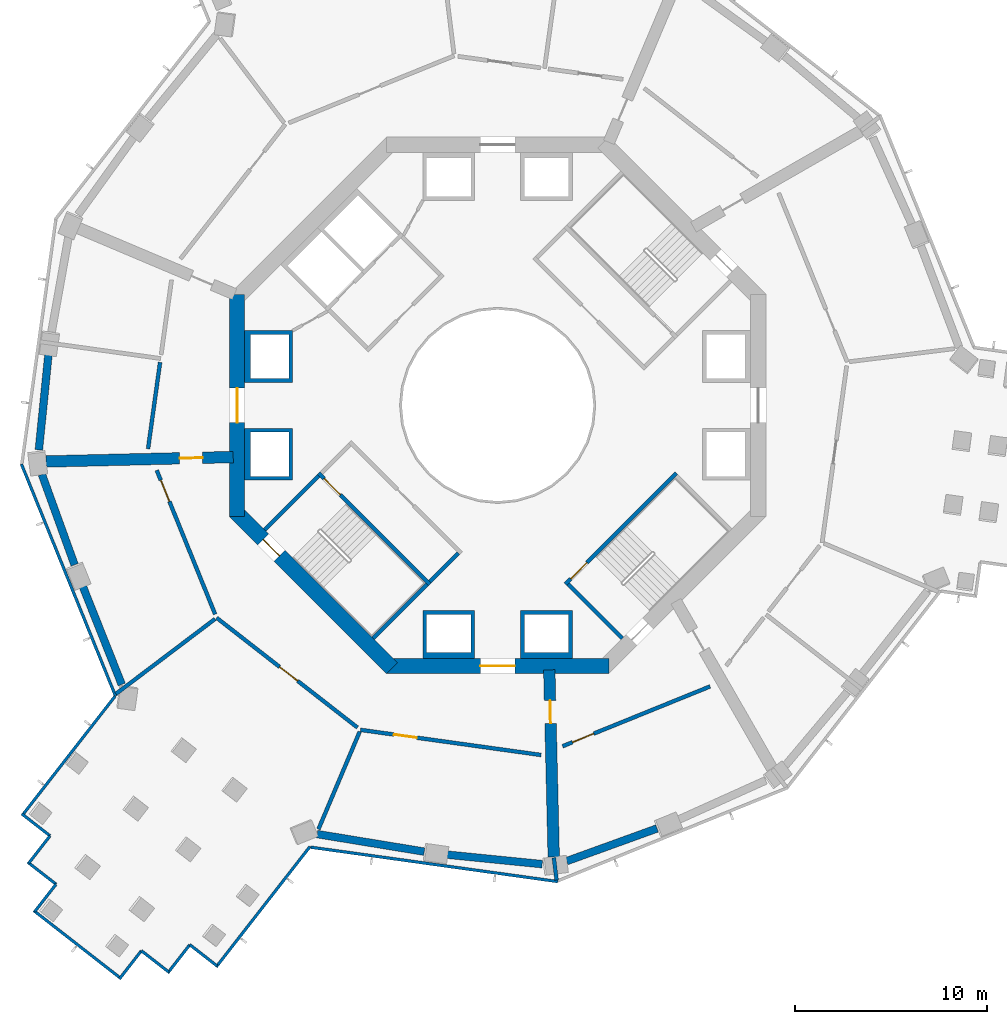
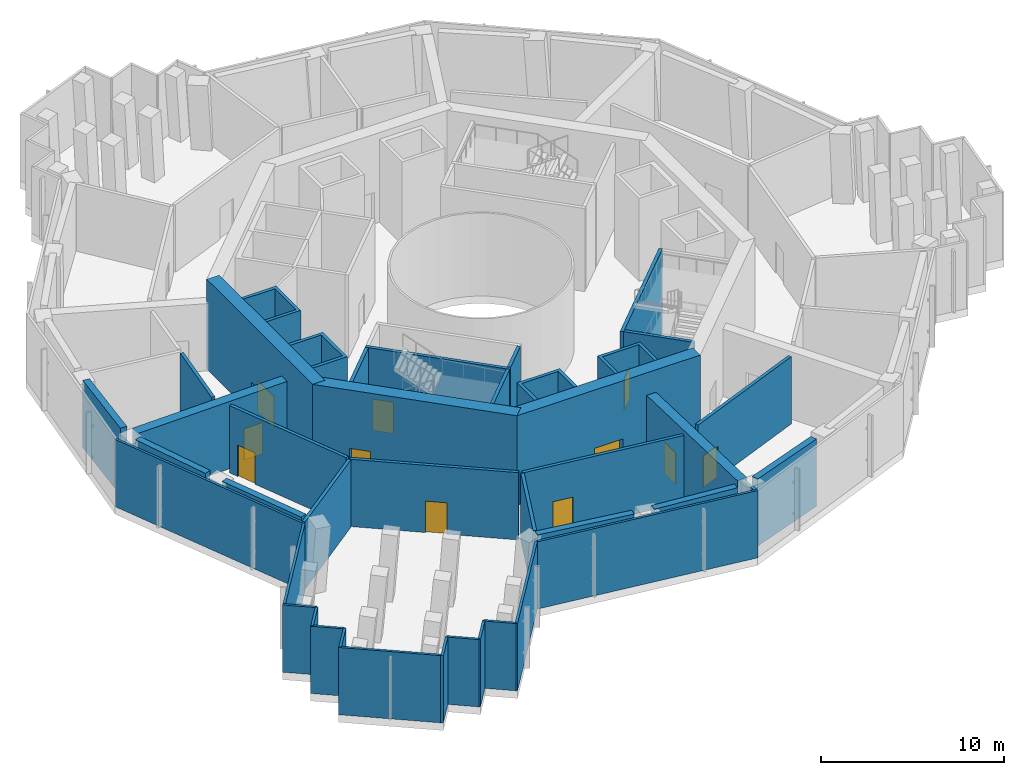
# One storey, part 2 of 17: 42 walls, 11 doors, 11 openings.
"""IFC4 building model written with IfcOpenShell, lengths in metres."""

from ifc_helpers import new_model, si_unit, direction, frame, frame_2d, origin, place, context, subcontext, project, spatial, polyline, rectangle, outline, extrude, material, layer, layer_set, type_object, element, fill, save


model = new_model("IFC4")

# Units and contexts
model_context = context("Model", 3, precision=1e-05, world=origin(), true_north=direction((0.0, 1.0)))
body_context = subcontext(model_context, "Body", "Model", "MODEL_VIEW")
ifc_project = project(units=[si_unit("LENGTHUNIT", "METRE"), si_unit("AREAUNIT", "SQUARE_METRE"), si_unit("VOLUMEUNIT", "CUBIC_METRE"), si_unit("PLANEANGLEUNIT", "RADIAN"), si_unit("MASSUNIT", "GRAM", prefix="KILO")], contexts=[model_context])

# Site, building, storey
site_placement = place(None, origin())
site = spatial("IfcSite", under=ifc_project, at=site_placement, CompositionType="ELEMENT")
building_placement = place(site_placement, origin())
building = spatial("IfcBuilding", under=site, at=building_placement, Name="Verdalira Terraces Hotel", CompositionType="ELEMENT")
storey_placement = place(building_placement, frame((0.0, 0.0, 122.0)))
storey = spatial("IfcBuildingStorey", under=building, at=storey_placement, Name="L29", CompositionType="ELEMENT", Elevation=122.0)

# Walls
ifc_material_1 = material(Name="Concrete C70", Category="concrete")
ifc_layer_1 = layer(ifc_material_1, 0.39990234375)
ifc_layer_set_1 = layer_set([ifc_layer_1], Name="Belt wall 400 C70")
wall_type_1 = type_object("IfcWallType", Name="Belt wall 400 C70", PredefinedType="SHEAR", material=ifc_layer_set_1)
wall_1_placement = place(storey_placement, frame((-23.442139, 2.664062, 0.0), z_axis=(0.0, 0.0, 1.0), x_axis=(-0.099773701, -0.995010155, 0.0)))
element("IfcWall", 1, at=wall_1_placement, inside=storey, type_object=wall_type_1, Name="Belt wall BW-29-4", PredefinedType="SHEAR", context=body_context, shape_type="SweptSolid", body=[
    extrude(rectangle(XDim=5.013672, YDim=0.399902, at=frame_2d((2.506836, 0.0))), origin(), (0.0, 0.0, 1.0), 4.5),
])
wall_2_placement = place(storey_placement, frame((-23.783691, -3.602783, 0.0), z_axis=(0.0, 0.0, 1.0), x_axis=(0.34015532, -0.940369267, 0.0)))
element("IfcWall", 2, at=wall_2_placement, inside=storey, type_object=wall_type_1, Name="Belt wall BW-29-5", PredefinedType="SHEAR", context=body_context, shape_type="SweptSolid", body=[
    extrude(rectangle(XDim=5.01416, YDim=0.399902, at=frame_2d((2.50708, 0.0))), origin(), (0.0, 0.0, 1.0), 4.5),
])
wall_3_placement = place(storey_placement, frame((-21.66333, -9.411865, 0.0), z_axis=(0.0, 0.0, 1.0), x_axis=(0.369105082, -0.929387668, 0.0)))
element("IfcWall", 3, at=wall_3_placement, inside=storey, type_object=wall_type_1, Name="Belt wall BW-29-6", PredefinedType="SHEAR", context=body_context, shape_type="SweptSolid", body=[
    extrude(rectangle(XDim=5.546143, YDim=0.399902, at=frame_2d((2.772949, 0.0))), origin(), (0.0, 0.0, 1.0), 4.5),
])
wall_4_placement = place(storey_placement, frame((-9.420898, -22.371338, 0.0), z_axis=(0.0, 0.0, 1.0), x_axis=(0.986810063, -0.161882364, 0.0)))
element("IfcWall", 4, at=wall_4_placement, inside=storey, type_object=wall_type_1, Name="Belt wall BW-29-7", PredefinedType="SHEAR", context=body_context, shape_type="SweptSolid", body=[
    extrude(rectangle(XDim=5.664551, YDim=0.399902, at=frame_2d((2.832275, 0.0))), origin(), (0.0, 0.0, 1.0), 4.5),
])
wall_5_placement = place(storey_placement, frame((-2.664062, -23.442139, 0.0), z_axis=(0.0, 0.0, 1.0), x_axis=(0.995010155, -0.099773701, 0.0)))
element("IfcWall", 5, at=wall_5_placement, inside=storey, type_object=wall_type_1, Name="Belt wall BW-29-8", PredefinedType="SHEAR", context=body_context, shape_type="SweptSolid", body=[
    extrude(rectangle(XDim=5.013672, YDim=0.399902, at=frame_2d((2.506836, 0.0))), origin(), (0.0, 0.0, 1.0), 4.5),
])
wall_6_placement = place(storey_placement, frame((3.602783, -23.783691, 0.0), z_axis=(0.0, 0.0, 1.0), x_axis=(0.940369267, 0.34015532, 0.0)))
element("IfcWall", 6, at=wall_6_placement, inside=storey, type_object=wall_type_1, Name="Belt wall BW-29-9", PredefinedType="SHEAR", context=body_context, shape_type="SweptSolid", body=[
    extrude(rectangle(XDim=5.01416, YDim=0.399902, at=frame_2d((2.50708, 0.0))), origin(), (0.0, 0.0, 1.0), 4.5),
])
ifc_material_2 = material(Name="Concrete C50", Category="concrete")
ifc_layer_2 = layer(ifc_material_2, 0.199951171875)
ifc_layer_set_2 = layer_set([ifc_layer_2], Name="Core RC wall 200 C50")
wall_type_2 = type_object("IfcWallType", Name="Core RC wall 200 C50", PredefinedType="SOLIDWALL", material=ifc_layer_set_2)
wall_7_placement = place(storey_placement, origin())
element("IfcWall", 7, at=wall_7_placement, inside=storey, type_object=wall_type_2, Name="L29 shaft wall W1", PredefinedType="SOLIDWALL", context=body_context, shape_type="SweptSolid", body=[
    extrude(outline(polyline([(-13.199951, 1.199951), (-13.199951, 3.899902), (-10.699951, 3.899902), (-10.699951, 1.199951), (-13.199951, 1.199951)]), holes=[polyline([(-10.899902, 3.699951), (-12.899902, 3.699951), (-12.899902, 1.399902), (-10.899902, 1.399902), (-10.899902, 3.699951)])]), origin(), (0.0, 0.0, 1.0), 5.550049),
])
wall_8_placement = place(storey_placement, origin())
element("IfcWall", 8, at=wall_8_placement, inside=storey, type_object=wall_type_2, Name="L29 shaft wall W2", PredefinedType="SOLIDWALL", context=body_context, shape_type="SweptSolid", body=[
    extrude(outline(polyline([(-10.699951, -3.899902), (-13.199951, -3.899902), (-13.199951, -1.199951), (-10.699951, -1.199951), (-10.699951, -3.899902)]), holes=[polyline([(-12.899902, -1.399902), (-12.899902, -3.699951), (-10.899902, -3.699951), (-10.899902, -1.399902), (-12.899902, -1.399902)])]), origin(), (0.0, 0.0, 1.0), 5.550049),
])
wall_9_placement = place(storey_placement, origin())
element("IfcWall", 9, at=wall_9_placement, inside=storey, type_object=wall_type_2, Name="L29 shaft wall S1", PredefinedType="SOLIDWALL", context=body_context, shape_type="SweptSolid", body=[
    extrude(outline(polyline([(-1.199951, -13.199951), (-3.899902, -13.199951), (-3.899902, -10.699951), (-1.199951, -10.699951), (-1.199951, -13.199951)]), holes=[polyline([(-3.699951, -10.899902), (-3.699951, -12.899902), (-1.399902, -12.899902), (-1.399902, -10.899902), (-3.699951, -10.899902)])]), origin(), (0.0, 0.0, 1.0), 5.550049),
])
wall_10_placement = place(storey_placement, origin())
element("IfcWall", 10, at=wall_10_placement, inside=storey, type_object=wall_type_2, Name="L29 shaft wall S2", PredefinedType="SOLIDWALL", context=body_context, shape_type="SweptSolid", body=[
    extrude(outline(polyline([(3.899902, -10.699951), (3.899902, -13.199951), (1.199951, -13.199951), (1.199951, -10.699951), (3.899902, -10.699951)]), holes=[polyline([(1.399902, -12.899902), (3.699951, -12.899902), (3.699951, -10.899902), (1.399902, -10.899902), (1.399902, -12.899902)])]), origin(), (0.0, 0.0, 1.0), 5.550049),
])

# Wall, opening, door
wall_11_placement = place(storey_placement, frame((-3.5354, -9.33374, 0.0), z_axis=(0.0, 0.0, 1.0), x_axis=(-0.707106781, 0.707106781, 0.0)))
wall_11 = element("IfcWall", 11, at=wall_11_placement, inside=storey, type_object=wall_type_2, Name="L29 stair ST2 front wall", PredefinedType="SOLIDWALL", context=body_context, shape_type="SweptSolid", body=[
    extrude(rectangle(XDim=8.200195, YDim=0.199951, at=frame_2d((4.100098, 0.0))), origin(), (0.0, 0.0, 1.0), 5.550049),
])
opening_1_placement = place(wall_11_placement, frame((6.600098, 0.0, 0.0)))
opening_1 = element("IfcOpeningElement", 12, at=opening_1_placement, cuts=wall_11, Name="Opening L29-804", PredefinedType="OPENING", context=body_context, shape_type="SweptSolid", body=[
    extrude(rectangle(XDim=1.199951, YDim=2.100098, at=frame_2d((0.600098, 1.050049))), frame((0.0, 0.109863, 0.0), z_axis=(0.0, -1.0, 0.0), x_axis=(1.0, 0.0, 0.0)), (0.0, 0.0, 1.0), 0.219971),
])
ifc_material_3 = material(Name="Steel fire door", Category="steel")
door_type_1 = type_object("IfcDoorType", Name="Stair door 1200 x 2100", OperationType="NOTDEFINED", PredefinedType="DOOR", material=ifc_material_3)
door_1_placement = place(opening_1_placement, origin())
door_1 = element("IfcDoor", 13, at=door_1_placement, inside=storey, type_object=door_type_1, Name="Stair door ST2 L29", OperationType="SINGLE_SWING_RIGHT", OverallHeight=2.10009765625, OverallWidth=1.199951171875, PredefinedType="DOOR", context=body_context, shape_type="SweptSolid", body=[
    extrude(rectangle(XDim=1.199951, YDim=2.100098, at=frame_2d((0.600098, 1.050049))), frame((0.0, 0.024902, 0.0), z_axis=(0.0, -1.0, 0.0), x_axis=(1.0, 0.0, 0.0)), (0.0, 0.0, 1.0), 0.050049),
])
fill(opening_1, door_1)

# Walls
for number, where, z_axis, x_axis, name in (
    (14, (-9.33374, -3.677002, 0.0), (0.0, 0.0, 1.0), (-0.707106781, -0.707106781, 0.0), "L29 stair ST2 end wall 1"),
    (15, (-3.677002, -9.33374, 0.0), (0.0, 0.0, 1.0), (-0.707106781, -0.707106781, 0.0), "L29 stair ST2 end wall 2"),
):
    element("IfcWall", number, at=place(storey_placement, frame(where, z_axis=z_axis, x_axis=x_axis)), inside=storey, type_object=wall_type_2, Name=name, PredefinedType="SOLIDWALL", context=body_context, shape_type="SweptSolid", body=[
        extrude(rectangle(XDim=4.0, YDim=0.199951, at=frame_2d((2.0, 0.0))), origin(), (0.0, 0.0, 1.0), 5.550049),
    ])

# Wall, opening, door
wall_12_placement = place(storey_placement, frame((9.33374, -3.5354, 0.0), z_axis=(0.0, 0.0, 1.0), x_axis=(-0.707106781, -0.707106781, 0.0)))
wall_12 = element("IfcWall", 16, at=wall_12_placement, inside=storey, type_object=wall_type_2, Name="L29 stair ST3 front wall", PredefinedType="SOLIDWALL", context=body_context, shape_type="SweptSolid", body=[
    extrude(rectangle(XDim=8.200195, YDim=0.199951, at=frame_2d((4.100098, 0.0))), origin(), (0.0, 0.0, 1.0), 5.550049),
])
opening_2_placement = place(wall_12_placement, frame((6.600098, 0.0, 0.0)))
opening_2 = element("IfcOpeningElement", 17, at=opening_2_placement, cuts=wall_12, Name="Opening L29-805", PredefinedType="OPENING", context=body_context, shape_type="SweptSolid", body=[
    extrude(rectangle(XDim=1.199951, YDim=2.100098, at=frame_2d((0.600098, 1.050049))), frame((0.0, 0.109863, 0.0), z_axis=(0.0, -1.0, 0.0), x_axis=(1.0, 0.0, 0.0)), (0.0, 0.0, 1.0), 0.219971),
])
door_2_placement = place(opening_2_placement, origin())
door_2 = element("IfcDoor", 18, at=door_2_placement, inside=storey, type_object=door_type_1, Name="Stair door ST3 L29", OperationType="SINGLE_SWING_RIGHT", OverallHeight=2.10009765625, OverallWidth=1.199951171875, PredefinedType="DOOR", context=body_context, shape_type="SweptSolid", body=[
    extrude(rectangle(XDim=1.199951, YDim=2.100098, at=frame_2d((0.600098, 1.050049))), frame((0.0, 0.024902, 0.0), z_axis=(0.0, -1.0, 0.0), x_axis=(1.0, 0.0, 0.0)), (0.0, 0.0, 1.0), 0.050049),
])
fill(opening_2, door_2)

# Walls
wall_13_placement = place(storey_placement, frame((3.677002, -9.33374, 0.0), z_axis=(0.0, 0.0, 1.0), x_axis=(0.707106781, -0.707106781, 0.0)))
element("IfcWall", 19, at=wall_13_placement, inside=storey, type_object=wall_type_2, Name="L29 stair ST3 end wall 1", PredefinedType="SOLIDWALL", context=body_context, shape_type="SweptSolid", body=[
    extrude(rectangle(XDim=4.0, YDim=0.199951, at=frame_2d((2.0, 0.0))), origin(), (0.0, 0.0, 1.0), 5.550049),
])
wall_14_placement = place(storey_placement, frame((-2.050537, -7.70752, 0.0), z_axis=(0.0, 0.0, 1.0), x_axis=(-0.707106781, -0.707106781, 0.0)))
element("IfcWall", 20, at=wall_14_placement, inside=storey, type_object=wall_type_2, Name="Stair lobby wall ST2 L29", PredefinedType="SOLIDWALL", context=body_context, shape_type="SweptSolid", body=[
    extrude(rectangle(XDim=2.099854, YDim=0.199951, at=frame_2d((1.049805, 0.0))), origin(), (0.0, 0.0, 1.0), 5.550049),
])

# Wall, opening, door
ifc_material_4 = material(Name="Concrete C70", Category="concrete")
ifc_layer_3 = layer(ifc_material_4, 0.800048828125)
ifc_layer_set_3 = layer_set([ifc_layer_3], Name="Core wall 800 C70")
wall_type_3 = type_object("IfcWallType", Name="Core wall 800 C70", PredefinedType="SHEAR", material=ifc_layer_set_3)
wall_15_placement = place(storey_placement, frame((-13.600098, 5.799072, 0.0), z_axis=(0.0, 0.0, 1.0), x_axis=(0.0, -1.0, 0.0)))
wall_15 = element("IfcWall", 21, at=wall_15_placement, inside=storey, type_object=wall_type_3, Name="Core wall CW-L29-5", PredefinedType="SHEAR", context=body_context, shape_type="SweptSolid", body=[
    extrude(rectangle(XDim=11.598145, YDim=0.800049, at=frame_2d((5.799072, 0.0))), origin(), (0.0, 0.0, 1.0), 6.0),
])
opening_3_placement = place(wall_15_placement, frame((4.898926, 0.0, 0.0)))
opening_3 = element("IfcOpeningElement", 22, at=opening_3_placement, cuts=wall_15, Name="Opening L29-808", PredefinedType="OPENING", context=body_context, shape_type="SweptSolid", body=[
    extrude(rectangle(XDim=1.800049, YDim=2.100098, at=frame_2d((0.899902, 1.050049))), frame((0.0, 0.409912, 0.0), z_axis=(0.0, -1.0, 0.0), x_axis=(1.0, 0.0, 0.0)), (0.0, 0.0, 1.0), 0.820068),
])
ifc_material_5 = material(Name="Steel fire door", Category="steel")
door_type_2 = type_object("IfcDoorType", Name="Core entry door pair 1800 x 2100", OperationType="NOTDEFINED", PredefinedType="DOOR", material=ifc_material_5)
door_3_placement = place(opening_3_placement, origin())
door_3 = element("IfcDoor", 23, at=door_3_placement, inside=storey, type_object=door_type_2, Name="Core entry door L29 4", OperationType="DOUBLE_DOOR_SINGLE_SWING", OverallHeight=2.10009765625, OverallWidth=1.800048828125, PredefinedType="DOOR", context=body_context, shape_type="SweptSolid", body=[
    extrude(rectangle(XDim=1.800049, YDim=2.100098, at=frame_2d((0.899902, 1.050049))), frame((0.0, 0.024902, 0.0), z_axis=(0.0, -1.0, 0.0), x_axis=(1.0, 0.0, 0.0)), (0.0, 0.0, 1.0), 0.050049),
])
fill(opening_3, door_3)

wall_16_placement = place(storey_placement, frame((-13.717285, -5.516113, 0.0), z_axis=(0.0, 0.0, 1.0), x_axis=(0.707106781, -0.707106781, 0.0)))
wall_16 = element("IfcWall", 24, at=wall_16_placement, inside=storey, type_object=wall_type_3, Name="Core wall CW-L29-6", PredefinedType="SHEAR", context=body_context, shape_type="SweptSolid", body=[
    extrude(rectangle(XDim=11.598145, YDim=0.800049, at=frame_2d((5.799072, 0.0))), origin(), (0.0, 0.0, 1.0), 6.0),
])
opening_4_placement = place(wall_16_placement, frame((2.099121, 0.0, 0.0)))
opening_4 = element("IfcOpeningElement", 25, at=opening_4_placement, cuts=wall_16, Name="Opening L29-811", PredefinedType="OPENING", context=body_context, shape_type="SweptSolid", body=[
    extrude(rectangle(XDim=1.199951, YDim=2.100098, at=frame_2d((0.600098, 1.050049))), frame((0.0, 0.409912, 0.0), z_axis=(0.0, -1.0, 0.0), x_axis=(1.0, 0.0, 0.0)), (0.0, 0.0, 1.0), 0.820068),
])
door_4_placement = place(opening_4_placement, origin())
door_4 = element("IfcDoor", 26, at=door_4_placement, inside=storey, type_object=door_type_1, Name="Stair exit door ST2 L29", OperationType="SINGLE_SWING_LEFT", OverallHeight=2.10009765625, OverallWidth=1.199951171875, PredefinedType="DOOR", context=body_context, shape_type="SweptSolid", body=[
    extrude(rectangle(XDim=1.199951, YDim=2.100098, at=frame_2d((0.600098, 1.050049))), frame((0.0, 0.024902, 0.0), z_axis=(0.0, -1.0, 0.0), x_axis=(1.0, 0.0, 0.0)), (0.0, 0.0, 1.0), 0.050049),
])
fill(opening_4, door_4)

wall_17_placement = place(storey_placement, frame((-5.799072, -13.600098, 0.0), z_axis=(0.0, 0.0, 1.0), x_axis=(1.0, 0.0, 0.0)))
wall_17 = element("IfcWall", 27, at=wall_17_placement, inside=storey, type_object=wall_type_3, Name="Core wall CW-L29-7", PredefinedType="SHEAR", context=body_context, shape_type="SweptSolid", body=[
    extrude(rectangle(XDim=11.598145, YDim=0.800049, at=frame_2d((5.799072, 0.0))), origin(), (0.0, 0.0, 1.0), 6.0),
])
opening_5_placement = place(wall_17_placement, frame((4.898926, 0.0, 0.0)))
opening_5 = element("IfcOpeningElement", 28, at=opening_5_placement, cuts=wall_17, Name="Opening L29-809", PredefinedType="OPENING", context=body_context, shape_type="SweptSolid", body=[
    extrude(rectangle(XDim=1.800049, YDim=2.100098, at=frame_2d((0.899902, 1.050049))), frame((0.0, 0.409912, 0.0), z_axis=(0.0, -1.0, 0.0), x_axis=(1.0, 0.0, 0.0)), (0.0, 0.0, 1.0), 0.820068),
])
door_5_placement = place(opening_5_placement, origin())
door_5 = element("IfcDoor", 29, at=door_5_placement, inside=storey, type_object=door_type_2, Name="Core entry door L29 6", OperationType="DOUBLE_DOOR_SINGLE_SWING", OverallHeight=2.10009765625, OverallWidth=1.800048828125, PredefinedType="DOOR", context=body_context, shape_type="SweptSolid", body=[
    extrude(rectangle(XDim=1.800049, YDim=2.100098, at=frame_2d((0.899902, 1.050049))), frame((0.0, 0.024902, 0.0), z_axis=(0.0, -1.0, 0.0), x_axis=(1.0, 0.0, 0.0)), (0.0, 0.0, 1.0), 0.050049),
])
fill(opening_5, door_5)

ifc_material_6 = material(Name="Concrete C70", Category="concrete")
ifc_layer_4 = layer(ifc_material_6, 0.60009765625)
ifc_layer_set_4 = layer_set([ifc_layer_4], Name="Outrigger wall 600 C70")
wall_type_4 = type_object("IfcWallType", Name="Outrigger wall 600 C70", PredefinedType="SHEAR", material=ifc_layer_set_4)
wall_18_placement = place(storey_placement, frame((-13.800049, -2.695312, 0.0), z_axis=(0.0, 0.0, 1.0), x_axis=(-0.999719627, -0.023678425, 0.0)))
wall_18 = element("IfcWall", 30, at=wall_18_placement, inside=storey, type_object=wall_type_4, Name="Outrigger wall OW-29-2", PredefinedType="SHEAR", context=body_context, shape_type="SweptSolid", body=[
    extrude(rectangle(XDim=9.76416, YDim=0.600098, at=frame_2d((4.88208, 0.0))), origin(), (0.0, 0.0, 1.0), 4.5),
])
opening_6_placement = place(wall_18_placement, frame((1.600098, 0.0, 0.0)))
opening_6 = element("IfcOpeningElement", 31, at=opening_6_placement, cuts=wall_18, Name="Opening L29-102", PredefinedType="OPENING", context=body_context, shape_type="SweptSolid", body=[
    extrude(rectangle(XDim=1.199951, YDim=2.100098, at=frame_2d((0.600098, 1.050049))), frame((0.0, 0.310059, 0.0), z_axis=(0.0, -1.0, 0.0), x_axis=(1.0, 0.0, 0.0)), (0.0, 0.0, 1.0), 0.620117),
])
ifc_material_7 = material(Name="Steel fire door", Category="steel")
door_type_3 = type_object("IfcDoorType", Name="Plant room door 1200 x 2100", OperationType="NOTDEFINED", PredefinedType="DOOR", material=ifc_material_7)
door_6_placement = place(opening_6_placement, origin())
door_6 = element("IfcDoor", 32, at=door_6_placement, inside=storey, type_object=door_type_3, Name="Plant room door", OperationType="SINGLE_SWING_LEFT", OverallHeight=2.10009765625, OverallWidth=1.199951171875, PredefinedType="DOOR", context=body_context, shape_type="SweptSolid", body=[
    extrude(rectangle(XDim=1.199951, YDim=2.100098, at=frame_2d((0.600098, 1.050049))), frame((0.0, 0.024902, 0.0), z_axis=(0.0, -1.0, 0.0), x_axis=(1.0, 0.0, 0.0)), (0.0, 0.0, 1.0), 0.050049),
])
fill(opening_6, door_6)

wall_19_placement = place(storey_placement, frame((2.695312, -13.800049, 0.0), z_axis=(0.0, 0.0, 1.0), x_axis=(0.023678425, -0.999719627, 0.0)))
wall_19 = element("IfcWall", 33, at=wall_19_placement, inside=storey, type_object=wall_type_4, Name="Outrigger wall OW-29-3", PredefinedType="SHEAR", context=body_context, shape_type="SweptSolid", body=[
    extrude(rectangle(XDim=9.76416, YDim=0.600098, at=frame_2d((4.88208, 0.0))), origin(), (0.0, 0.0, 1.0), 4.5),
])
opening_7_placement = place(wall_19_placement, frame((1.600098, 0.0, 0.0)))
opening_7 = element("IfcOpeningElement", 34, at=opening_7_placement, cuts=wall_19, Name="Opening L29-103", PredefinedType="OPENING", context=body_context, shape_type="SweptSolid", body=[
    extrude(rectangle(XDim=1.199951, YDim=2.100098, at=frame_2d((0.600098, 1.050049))), frame((0.0, 0.310059, 0.0), z_axis=(0.0, -1.0, 0.0), x_axis=(1.0, 0.0, 0.0)), (0.0, 0.0, 1.0), 0.620117),
])
door_7_placement = place(opening_7_placement, origin())
door_7 = element("IfcDoor", 35, at=door_7_placement, inside=storey, type_object=door_type_3, Name="Plant room door", OperationType="SINGLE_SWING_LEFT", OverallHeight=2.10009765625, OverallWidth=1.199951171875, PredefinedType="DOOR", context=body_context, shape_type="SweptSolid", body=[
    extrude(rectangle(XDim=1.199951, YDim=2.100098, at=frame_2d((0.600098, 1.050049))), frame((0.0, 0.024902, 0.0), z_axis=(0.0, -1.0, 0.0), x_axis=(1.0, 0.0, 0.0)), (0.0, 0.0, 1.0), 0.050049),
])
fill(opening_7, door_7)

# Walls
ifc_material_8 = material(Name="Fire-rated concrete block wall", Category="concrete")
ifc_layer_5 = layer(ifc_material_8, 0.199951171875)
ifc_layer_set_5 = layer_set([ifc_layer_5], Name="Plant room wall 200 mm")
wall_type_5 = type_object("IfcWallType", Name="Plant room wall 200 mm", PredefinedType="SOLIDWALL", material=ifc_layer_set_5)
wall_20_placement = place(storey_placement, frame((-17.616455, 2.248779, 0.0), z_axis=(0.0, 0.0, 1.0), x_axis=(-0.137775664, -0.99046346, 0.0)))
element("IfcWall", 36, at=wall_20_placement, inside=storey, type_object=wall_type_5, Name="Plant room wall", PredefinedType="SOLIDWALL", context=body_context, shape_type="SweptSolid", body=[
    extrude(rectangle(XDim=4.557617, YDim=0.199951, at=frame_2d((2.278809, 0.0))), origin(), (0.0, 0.0, 1.0), 4.5),
])
wall_21_placement = place(storey_placement, frame((-14.75, -11.147217, 0.0), z_axis=(0.0, 0.0, 1.0), x_axis=(-0.797800426, -0.60292162, 0.0)))
element("IfcWall", 37, at=wall_21_placement, inside=storey, type_object=wall_type_5, Name="Plant room wall", PredefinedType="SOLIDWALL", context=body_context, shape_type="SweptSolid", body=[
    extrude(rectangle(XDim=6.475586, YDim=0.199951, at=frame_2d((3.237793, 0.0))), origin(), (0.0, 0.0, 1.0), 4.5),
])

# Wall, opening, door
wall_22_placement = place(storey_placement, frame((-14.742432, -10.899414, 0.0), z_axis=(0.0, 0.0, 1.0), x_axis=(-0.375883377, 0.926666977, 0.0)))
wall_22 = element("IfcWall", 38, at=wall_22_placement, inside=storey, type_object=wall_type_5, Name="Plant room wall", PredefinedType="SOLIDWALL", context=body_context, shape_type="SweptSolid", body=[
    extrude(rectangle(XDim=8.105957, YDim=0.199951, at=frame_2d((4.052979, 0.0))), origin(), (0.0, 0.0, 1.0), 4.5),
])
opening_8_placement = place(wall_22_placement, frame((6.350098, 0.0, 0.0)))
opening_8 = element("IfcOpeningElement", 39, at=opening_8_placement, cuts=wall_22, Name="Opening L29-109", PredefinedType="OPENING", context=body_context, shape_type="SweptSolid", body=[
    extrude(rectangle(XDim=1.199951, YDim=2.100098, at=frame_2d((0.600098, 1.050049))), frame((0.0, 0.109863, 0.0), z_axis=(0.0, -1.0, 0.0), x_axis=(1.0, 0.0, 0.0)), (0.0, 0.0, 1.0), 0.219971),
])
door_8_placement = place(opening_8_placement, origin())
door_8 = element("IfcDoor", 40, at=door_8_placement, inside=storey, type_object=door_type_3, Name="Plant room door 2903", OperationType="SINGLE_SWING_LEFT", OverallHeight=2.10009765625, OverallWidth=1.199951171875, PredefinedType="DOOR", context=body_context, shape_type="SweptSolid", body=[
    extrude(rectangle(XDim=1.199951, YDim=2.100098, at=frame_2d((0.600098, 1.050049))), frame((0.0, 0.024902, 0.0), z_axis=(0.0, -1.0, 0.0), x_axis=(1.0, 0.0, 0.0)), (0.0, 0.0, 1.0), 0.050049),
])
fill(opening_8, door_8)

wall_23_placement = place(storey_placement, frame((-7.317627, -16.810303, 0.0), z_axis=(0.0, 0.0, 1.0), x_axis=(-0.788872225, 0.614557249, 0.0)))
wall_23 = element("IfcWall", 41, at=wall_23_placement, inside=storey, type_object=wall_type_5, Name="Plant room wall", PredefinedType="SOLIDWALL", context=body_context, shape_type="SweptSolid", body=[
    extrude(rectangle(XDim=9.31665, YDim=0.199951, at=frame_2d((4.658203, 0.0))), origin(), (0.0, 0.0, 1.0), 4.5),
])
opening_9_placement = place(wall_23_placement, frame((3.949951, 0.0, 0.0)))
opening_9 = element("IfcOpeningElement", 42, at=opening_9_placement, cuts=wall_23, Name="Opening L29-110", PredefinedType="OPENING", context=body_context, shape_type="SweptSolid", body=[
    extrude(rectangle(XDim=1.199951, YDim=2.100098, at=frame_2d((0.600098, 1.050049))), frame((0.0, 0.109863, 0.0), z_axis=(0.0, -1.0, 0.0), x_axis=(1.0, 0.0, 0.0)), (0.0, 0.0, 1.0), 0.219971),
])
door_9_placement = place(opening_9_placement, origin())
door_9 = element("IfcDoor", 43, at=door_9_placement, inside=storey, type_object=door_type_3, Name="Plant room door 2904", OperationType="SINGLE_SWING_LEFT", OverallHeight=2.10009765625, OverallWidth=1.199951171875, PredefinedType="DOOR", context=body_context, shape_type="SweptSolid", body=[
    extrude(rectangle(XDim=1.199951, YDim=2.100098, at=frame_2d((0.600098, 1.050049))), frame((0.0, 0.024902, 0.0), z_axis=(0.0, -1.0, 0.0), x_axis=(1.0, 0.0, 0.0)), (0.0, 0.0, 1.0), 0.050049),
])
fill(opening_9, door_9)

# Wall
wall_24_placement = place(storey_placement, frame((-7.200195, -17.028809, 0.0), z_axis=(0.0, 0.0, 1.0), x_axis=(-0.389472788, -0.921037973, 0.0)))
element("IfcWall", 44, at=wall_24_placement, inside=storey, type_object=wall_type_5, Name="Plant room wall", PredefinedType="SOLIDWALL", context=body_context, shape_type="SweptSolid", body=[
    extrude(rectangle(XDim=5.525635, YDim=0.199951, at=frame_2d((2.762695, 0.0))), origin(), (0.0, 0.0, 1.0), 4.5),
])

# Wall, opening, door
wall_25_placement = place(storey_placement, frame((2.266113, -18.244629, 0.0), z_axis=(0.0, 0.0, 1.0), x_axis=(-0.990462051, 0.137785793, 0.0)))
wall_25 = element("IfcWall", 45, at=wall_25_placement, inside=storey, type_object=wall_type_5, Name="Plant room wall", PredefinedType="SOLIDWALL", context=body_context, shape_type="SweptSolid", body=[
    extrude(rectangle(XDim=9.516846, YDim=0.199951, at=frame_2d((4.758301, 0.0))), origin(), (0.0, 0.0, 1.0), 4.5),
])
opening_10_placement = place(wall_25_placement, frame((6.550049, 0.0, 0.0)))
opening_10 = element("IfcOpeningElement", 46, at=opening_10_placement, cuts=wall_25, Name="Opening L29-111", PredefinedType="OPENING", context=body_context, shape_type="SweptSolid", body=[
    extrude(rectangle(XDim=1.199951, YDim=2.100098, at=frame_2d((0.600098, 1.050049))), frame((0.0, 0.109863, 0.0), z_axis=(0.0, -1.0, 0.0), x_axis=(1.0, 0.0, 0.0)), (0.0, 0.0, 1.0), 0.219971),
])
door_10_placement = place(opening_10_placement, origin())
door_10 = element("IfcDoor", 47, at=door_10_placement, inside=storey, type_object=door_type_3, Name="Plant room door 2905", OperationType="SINGLE_SWING_LEFT", OverallHeight=2.10009765625, OverallWidth=1.199951171875, PredefinedType="DOOR", context=body_context, shape_type="SweptSolid", body=[
    extrude(rectangle(XDim=1.199951, YDim=2.100098, at=frame_2d((0.600098, 1.050049))), frame((0.0, 0.024902, 0.0), z_axis=(0.0, -1.0, 0.0), x_axis=(1.0, 0.0, 0.0)), (0.0, 0.0, 1.0), 0.050049),
])
fill(opening_10, door_10)

# Wall
wall_26_placement = place(storey_placement, frame((2.931885, -23.606934, 0.0), z_axis=(0.0, 0.0, 1.0), x_axis=(0.123344665, -0.992363892, 0.0)))
element("IfcWall", 48, at=wall_26_placement, inside=storey, type_object=wall_type_5, Name="Plant room wall", PredefinedType="SOLIDWALL", context=body_context, shape_type="SweptSolid", body=[
    extrude(rectangle(XDim=1.175781, YDim=0.199951, at=frame_2d((0.587891, 0.0))), origin(), (0.0, 0.0, 1.0), 4.5),
])

# Wall, opening, door
wall_27_placement = place(storey_placement, frame((11.084717, -14.667236, 0.0), z_axis=(0.0, 0.0, 1.0), x_axis=(-0.926665674, -0.37588659, 0.0)))
wall_27 = element("IfcWall", 49, at=wall_27_placement, inside=storey, type_object=wall_type_5, Name="Plant room wall", PredefinedType="SOLIDWALL", context=body_context, shape_type="SweptSolid", body=[
    extrude(rectangle(XDim=8.305908, YDim=0.199951, at=frame_2d((4.152832, 0.0))), origin(), (0.0, 0.0, 1.0), 4.5),
])
opening_11_placement = place(wall_27_placement, frame((6.550049, 0.0, 0.0)))
opening_11 = element("IfcOpeningElement", 50, at=opening_11_placement, cuts=wall_27, Name="Opening L29-112", PredefinedType="OPENING", context=body_context, shape_type="SweptSolid", body=[
    extrude(rectangle(XDim=1.199951, YDim=2.100098, at=frame_2d((0.600098, 1.050049))), frame((0.0, 0.109863, 0.0), z_axis=(0.0, -1.0, 0.0), x_axis=(1.0, 0.0, 0.0)), (0.0, 0.0, 1.0), 0.219971),
])
door_11_placement = place(opening_11_placement, origin())
door_11 = element("IfcDoor", 51, at=door_11_placement, inside=storey, type_object=door_type_3, Name="Plant room door 2906", OperationType="SINGLE_SWING_LEFT", OverallHeight=2.10009765625, OverallWidth=1.199951171875, PredefinedType="DOOR", context=body_context, shape_type="SweptSolid", body=[
    extrude(rectangle(XDim=1.199951, YDim=2.100098, at=frame_2d((0.600098, 1.050049))), frame((0.0, 0.024902, 0.0), z_axis=(0.0, -1.0, 0.0), x_axis=(1.0, 0.0, 0.0)), (0.0, 0.0, 1.0), 0.050049),
])
fill(opening_11, door_11)

# Walls
ifc_material_9 = material(Name="Terracotta cladding", Category="masonry")
ifc_layer_6 = layer(ifc_material_9, 0.14990234375)
ifc_layer_set_6 = layer_set([ifc_layer_6], Name="Terracotta clad wall 150")
wall_type_6 = type_object("IfcWallType", Name="Terracotta clad wall 150", PredefinedType="SOLIDWALL", material=ifc_layer_set_6)
wall_28_placement = place(storey_placement, frame((-24.853027, -3.067139, 0.0), z_axis=(0.0, 0.0, 1.0), x_axis=(0.375890172, -0.926664221, 0.0)))
element("IfcWall", 52, at=wall_28_placement, inside=storey, type_object=wall_type_6, Name="Terracotta cladding wall", PredefinedType="SOLIDWALL", context=body_context, shape_type="SweptSolid", body=[
    extrude(rectangle(XDim=13.075195, YDim=0.149902, at=frame_2d((6.537598, 0.0))), origin(), (0.0, 0.0, 1.0), 4.5),
])
wall_29_placement = place(storey_placement, frame((-19.969482, -15.178955, 0.0), z_axis=(0.0, 0.0, 1.0), x_axis=(-0.614583574, -0.788851717, 0.0)))
element("IfcWall", 53, at=wall_29_placement, inside=storey, type_object=wall_type_6, Name="Terracotta cladding wall", PredefinedType="SOLIDWALL", context=body_context, shape_type="SweptSolid", body=[
    extrude(rectangle(XDim=7.831299, YDim=0.149902, at=frame_2d((3.915527, 0.0))), origin(), (0.0, 0.0, 1.0), 4.5),
])
wall_30_placement = place(storey_placement, frame((-24.841553, -21.310791, 0.0), z_axis=(0.0, 0.0, 1.0), x_axis=(0.788945387, -0.614463324, 0.0)))
element("IfcWall", 54, at=wall_30_placement, inside=storey, type_object=wall_type_6, Name="Terracotta cladding wall", PredefinedType="SOLIDWALL", context=body_context, shape_type="SweptSolid", body=[
    extrude(rectangle(XDim=1.875, YDim=0.149902, at=frame_2d((0.9375, 0.0))), origin(), (0.0, 0.0, 1.0), 4.5),
])
wall_31_placement = place(storey_placement, frame((-23.362305, -22.462891, 0.0), z_axis=(0.0, 0.0, 1.0), x_axis=(-0.614503811, -0.788913853, 0.0)))
element("IfcWall", 55, at=wall_31_placement, inside=storey, type_object=wall_type_6, Name="Terracotta cladding wall", PredefinedType="SOLIDWALL", context=body_context, shape_type="SweptSolid", body=[
    extrude(rectangle(XDim=1.800049, YDim=0.149902, at=frame_2d((0.899902, 0.0))), origin(), (0.0, 0.0, 1.0), 4.5),
])
wall_32_placement = place(storey_placement, frame((-24.527832, -23.836914, 0.0), z_axis=(0.0, 0.0, 1.0), x_axis=(0.788882265, -0.614544362, 0.0)))
element("IfcWall", 56, at=wall_32_placement, inside=storey, type_object=wall_type_6, Name="Terracotta cladding wall", PredefinedType="SOLIDWALL", context=body_context, shape_type="SweptSolid", body=[
    extrude(rectangle(XDim=1.875, YDim=0.149902, at=frame_2d((0.9375, 0.0))), origin(), (0.0, 0.0, 1.0), 4.5),
])
wall_33_placement = place(storey_placement, frame((-23.048584, -24.989258, 0.0), z_axis=(0.0, 0.0, 1.0), x_axis=(-0.614569564, -0.788862631, 0.0)))
element("IfcWall", 57, at=wall_33_placement, inside=storey, type_object=wall_type_6, Name="Terracotta cladding wall", PredefinedType="SOLIDWALL", context=body_context, shape_type="SweptSolid", body=[
    extrude(rectangle(XDim=1.800049, YDim=0.149902, at=frame_2d((0.899902, 0.0))), origin(), (0.0, 0.0, 1.0), 4.5),
])
wall_34_placement = place(storey_placement, frame((-24.214111, -26.363037, 0.0), z_axis=(0.0, 0.0, 1.0), x_axis=(0.788878958, -0.614548606, 0.0)))
element("IfcWall", 58, at=wall_34_placement, inside=storey, type_object=wall_type_6, Name="Terracotta cladding wall", PredefinedType="SOLIDWALL", context=body_context, shape_type="SweptSolid", body=[
    extrude(rectangle(XDim=5.725098, YDim=0.149902, at=frame_2d((2.862549, 0.0))), origin(), (0.0, 0.0, 1.0), 4.5),
])
wall_35_placement = place(storey_placement, frame((-19.743896, -29.940674, 0.0), z_axis=(0.0, 0.0, 1.0), x_axis=(0.614544362, 0.788882265, 0.0)))
element("IfcWall", 59, at=wall_35_placement, inside=storey, type_object=wall_type_6, Name="Terracotta cladding wall", PredefinedType="SOLIDWALL", context=body_context, shape_type="SweptSolid", body=[
    extrude(rectangle(XDim=1.875, YDim=0.149902, at=frame_2d((0.9375, 0.0))), origin(), (0.0, 0.0, 1.0), 4.5),
])
wall_36_placement = place(storey_placement, frame((-18.591553, -28.461426, 0.0), z_axis=(0.0, 0.0, 1.0), x_axis=(0.788862631, -0.614569564, 0.0)))
element("IfcWall", 60, at=wall_36_placement, inside=storey, type_object=wall_type_6, Name="Terracotta cladding wall", PredefinedType="SOLIDWALL", context=body_context, shape_type="SweptSolid", body=[
    extrude(rectangle(XDim=1.800049, YDim=0.149902, at=frame_2d((0.899902, 0.0))), origin(), (0.0, 0.0, 1.0), 4.5),
])
wall_37_placement = place(storey_placement, frame((-17.217529, -29.626709, 0.0), z_axis=(0.0, 0.0, 1.0), x_axis=(0.614526452, 0.788896216, 0.0)))
element("IfcWall", 61, at=wall_37_placement, inside=storey, type_object=wall_type_6, Name="Terracotta cladding wall", PredefinedType="SOLIDWALL", context=body_context, shape_type="SweptSolid", body=[
    extrude(rectangle(XDim=1.874756, YDim=0.149902, at=frame_2d((0.9375, 0.0))), origin(), (0.0, 0.0, 1.0), 4.5),
])
wall_38_placement = place(storey_placement, frame((-16.06543, -28.147705, 0.0), z_axis=(0.0, 0.0, 1.0), x_axis=(0.788913853, -0.614503811, 0.0)))
element("IfcWall", 62, at=wall_38_placement, inside=storey, type_object=wall_type_6, Name="Terracotta cladding wall", PredefinedType="SOLIDWALL", context=body_context, shape_type="SweptSolid", body=[
    extrude(rectangle(XDim=1.800049, YDim=0.149902, at=frame_2d((0.899902, 0.0))), origin(), (0.0, 0.0, 1.0), 4.5),
])
wall_39_placement = place(storey_placement, frame((-14.691406, -29.312988, 0.0), z_axis=(0.0, 0.0, 1.0), x_axis=(0.614559714, 0.788870305, 0.0)))
element("IfcWall", 63, at=wall_39_placement, inside=storey, type_object=wall_type_6, Name="Terracotta cladding wall", PredefinedType="SOLIDWALL", context=body_context, shape_type="SweptSolid", body=[
    extrude(rectangle(XDim=7.969482, YDim=0.149902, at=frame_2d((3.984863, 0.0))), origin(), (0.0, 0.0, 1.0), 4.5),
])
wall_40_placement = place(storey_placement, frame((-9.781738, -23.05542, 0.0), z_axis=(0.0, 0.0, 1.0), x_axis=(0.990461934, -0.137786639, 0.0)))
element("IfcWall", 64, at=wall_40_placement, inside=storey, type_object=wall_type_6, Name="Terracotta cladding wall", PredefinedType="SOLIDWALL", context=body_context, shape_type="SweptSolid", body=[
    extrude(rectangle(XDim=13.046387, YDim=0.149902, at=frame_2d((6.523193, 0.0))), origin(), (0.0, 0.0, 1.0), 4.5),
])

save(model, "model.ifc")
